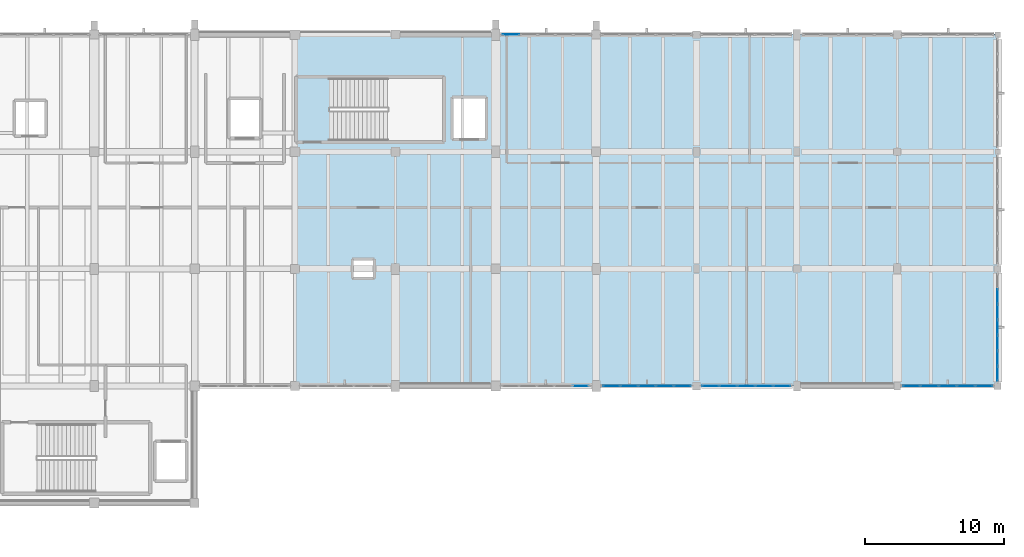
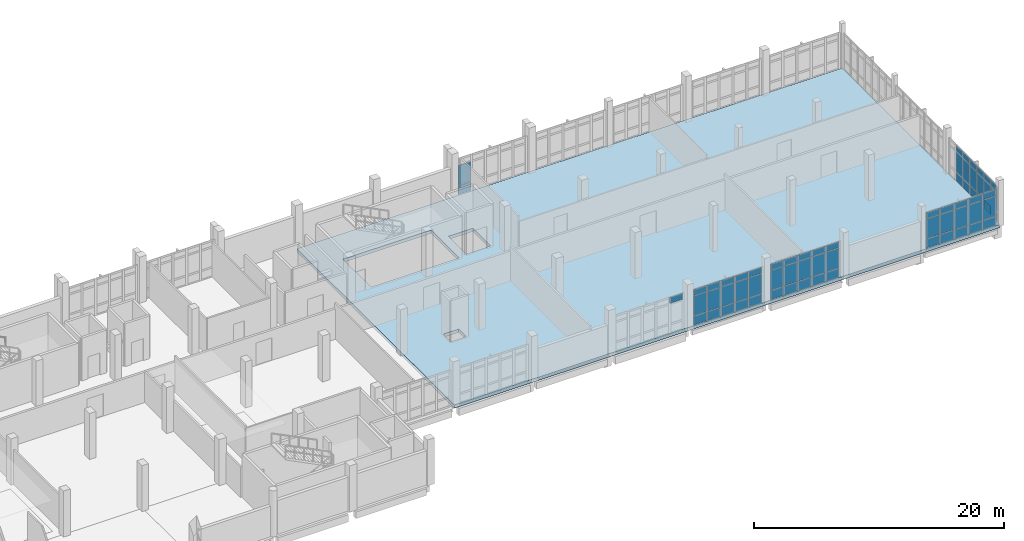
# One storey, part 44 of 57: 66 plates, 1 slab, 6 elements without a shape of their own.
"""IFC4 building model written with IfcOpenShell, lengths in metres."""

from ifc_helpers import new_model, si_unit, direction, frame, origin, origin_2d, place, context, subcontext, project, spatial, polyline, rectangle, outline, extrude, material, layer, layer_set, type_object, element, aggregate, save


model = new_model("IFC4")

# Units and contexts
model_context = context("Model", 3, precision=1e-05, world=origin(), true_north=direction((0.0, 1.0)))
body_context = subcontext(model_context, "Body", "Model", "MODEL_VIEW")
ifc_project = project(units=[si_unit("LENGTHUNIT", "METRE"), si_unit("AREAUNIT", "SQUARE_METRE"), si_unit("VOLUMEUNIT", "CUBIC_METRE"), si_unit("PLANEANGLEUNIT", "RADIAN"), si_unit("MASSUNIT", "GRAM", prefix="KILO")], contexts=[model_context])

# Site, building, storey
site_placement = place(None, origin())
site = spatial("IfcSite", under=ifc_project, at=site_placement, CompositionType="ELEMENT")
building_placement = place(site_placement, origin())
building = spatial("IfcBuilding", under=site, at=building_placement, Name="Kalluvel Institute of Natural Sciences", CompositionType="ELEMENT")
storey_placement = place(building_placement, frame((0.0, 0.0, 23.39990234375)))
storey = spatial("IfcBuildingStorey", under=building, at=storey_placement, Name="L05", CompositionType="ELEMENT", Elevation=23.39990234375)

# Curtain wall, plates
ifc_material_1 = material(Name="Aluminium AW-6063 T6", Category="aluminium")
curtain_wall_type = type_object("IfcCurtainWallType", Name="CW-WET-45", PredefinedType="USERDEFINED", material=ifc_material_1)
curtain_wall_1_placement = place(storey_placement, origin())
curtain_wall_1 = element("IfcCurtainWall", 1, at=curtain_wall_1_placement, inside=storey, type_object=curtain_wall_type, Name="L05 Gothic lancet curtain wall CWA-L05-X792-Y1280", ObjectType="UNITISED LANCET FACADE", PredefinedType="USERDEFINED")
ifc_material_2 = material(Name="Solar-Control Low-E Laminated Glass", Category="glass")
ifc_layer_1 = layer(ifc_material_2, 0.0400390625)
ifc_layer_set_1 = layer_set([ifc_layer_1], Name="Solar-Control Low-E Laminated Glass")
plate_type = type_object("IfcPlateType", Name="CWP-SPN-40", PredefinedType="CURTAIN_PANEL", material=ifc_layer_set_1)
plate_1_placement = place(storey_placement, frame((79.905029296875, 128.0, 0.0703125), z_axis=(0.0, 0.0, 1.0), x_axis=(1.0, 0.0, 0.0)))
plate_1 = element("IfcPlate", 2, at=plate_1_placement, type_object=plate_type, Name="CW-01 panel 1.1", PredefinedType="CURTAIN_PANEL", context=body_context, shape_type="SweptSolid", body=[
    extrude(rectangle(XDim=1.169921875, YDim=0.0400390625, at=origin_2d()), origin(), (0.0, 0.0, 1.0), 0.844970703125),
])
plate_2_placement = place(storey_placement, frame((79.905029296875, 128.0, 0.9853515625), z_axis=(0.0, 0.0, 1.0), x_axis=(1.0, 0.0, 0.0)))
plate_2 = element("IfcPlate", 3, at=plate_2_placement, type_object=plate_type, Name="CW-01 panel 1.2", PredefinedType="CURTAIN_PANEL", context=body_context, shape_type="SweptSolid", body=[
    extrude(rectangle(XDim=1.169921875, YDim=0.0400390625, at=origin_2d()), origin(), (0.0, 0.0, 1.0), 1.909912109375),
])
aggregate(curtain_wall_1, [plate_1, plate_2])

# Curtain wall, plate
curtain_wall_2_placement = place(storey_placement, origin())
curtain_wall_2 = element("IfcCurtainWall", 4, at=curtain_wall_2_placement, inside=storey, type_object=curtain_wall_type, Name="L05 Gothic lancet curtain wall CWA-L05-X792-Y1028", ObjectType="UNITISED LANCET FACADE", PredefinedType="USERDEFINED")
plate_3_placement = place(storey_placement, frame((84.8974609375, 102.800048828125, 2.965087890625), z_axis=(0.0, 0.0, 1.0), x_axis=(1.0, 0.0, 0.0)))
plate_3 = element("IfcPlate", 5, at=plate_3_placement, type_object=plate_type, Name="CW-01 panel 5.3", PredefinedType="CURTAIN_PANEL", context=body_context, shape_type="SweptSolid", body=[
    extrude(rectangle(XDim=1.1650390625, YDim=0.0400390625, at=origin_2d()), origin(), (0.0, 0.0, 1.0), 0.544921875),
])
aggregate(curtain_wall_2, [plate_3])

# Curtain wall, plates
curtain_wall_3_placement = place(storey_placement, origin())
curtain_wall_3 = element("IfcCurtainWall", 6, at=curtain_wall_3_placement, inside=storey, type_object=curtain_wall_type, Name="L05 Gothic lancet curtain wall CWA-L05-X864-Y1028", ObjectType="UNITISED LANCET FACADE", PredefinedType="USERDEFINED")
plate_4_placement = place(storey_placement, frame((87.107421875, 102.800048828125, 0.0703125), z_axis=(0.0, 0.0, 1.0), x_axis=(1.0, 0.0, 0.0)))
plate_4 = element("IfcPlate", 7, at=plate_4_placement, type_object=plate_type, Name="CW-01 panel 1.1", PredefinedType="CURTAIN_PANEL", context=body_context, shape_type="SweptSolid", body=[
    extrude(rectangle(XDim=1.175048828125, YDim=0.0400390625, at=origin_2d()), origin(), (0.0, 0.0, 1.0), 0.844970703125),
])
plate_5_placement = place(storey_placement, frame((87.107421875, 102.800048828125, 0.9853515625), z_axis=(0.0, 0.0, 1.0), x_axis=(1.0, 0.0, 0.0)))
plate_5 = element("IfcPlate", 8, at=plate_5_placement, type_object=plate_type, Name="CW-01 panel 1.2", PredefinedType="CURTAIN_PANEL", context=body_context, shape_type="SweptSolid", body=[
    extrude(rectangle(XDim=1.175048828125, YDim=0.0400390625, at=origin_2d()), origin(), (0.0, 0.0, 1.0), 1.909912109375),
])
plate_6_placement = place(storey_placement, frame((87.107421875, 102.800048828125, 2.965087890625), z_axis=(0.0, 0.0, 1.0), x_axis=(1.0, 0.0, 0.0)))
plate_6 = element("IfcPlate", 9, at=plate_6_placement, type_object=plate_type, Name="CW-01 panel 1.3", PredefinedType="CURTAIN_PANEL", context=body_context, shape_type="SweptSolid", body=[
    extrude(rectangle(XDim=1.175048828125, YDim=0.0400390625, at=origin_2d()), origin(), (0.0, 0.0, 1.0), 0.544921875),
])
plate_7_placement = place(storey_placement, frame((88.3701171875, 102.800048828125, 0.0703125), z_axis=(0.0, 0.0, 1.0), x_axis=(1.0, 0.0, 0.0)))
plate_7 = element("IfcPlate", 10, at=plate_7_placement, type_object=plate_type, Name="CW-01 panel 2.1", PredefinedType="CURTAIN_PANEL", context=body_context, shape_type="SweptSolid", body=[
    extrude(rectangle(XDim=1.2099609375, YDim=0.0400390625, at=origin_2d()), origin(), (0.0, 0.0, 1.0), 0.844970703125),
])
plate_8_placement = place(storey_placement, frame((88.3701171875, 102.800048828125, 0.9853515625), z_axis=(0.0, 0.0, 1.0), x_axis=(1.0, 0.0, 0.0)))
plate_8 = element("IfcPlate", 11, at=plate_8_placement, type_object=plate_type, Name="CW-01 panel 2.2", PredefinedType="CURTAIN_PANEL", context=body_context, shape_type="SweptSolid", body=[
    extrude(rectangle(XDim=1.2099609375, YDim=0.0400390625, at=origin_2d()), origin(), (0.0, 0.0, 1.0), 1.909912109375),
])
plate_9_placement = place(storey_placement, frame((88.3701171875, 102.800048828125, 2.965087890625), z_axis=(0.0, 0.0, 1.0), x_axis=(1.0, 0.0, 0.0)))
plate_9 = element("IfcPlate", 12, at=plate_9_placement, type_object=plate_type, Name="CW-01 panel 2.3", PredefinedType="CURTAIN_PANEL", context=body_context, shape_type="SweptSolid", body=[
    extrude(rectangle(XDim=1.2099609375, YDim=0.0400390625, at=origin_2d()), origin(), (0.0, 0.0, 1.0), 0.544921875),
])
plate_10_placement = place(storey_placement, frame((89.64990234375, 102.800048828125, 0.0703125), z_axis=(0.0, 0.0, 1.0), x_axis=(1.0, 0.0, 0.0)))
plate_10 = element("IfcPlate", 13, at=plate_10_placement, type_object=plate_type, Name="CW-01 panel 3.1", PredefinedType="CURTAIN_PANEL", context=body_context, shape_type="SweptSolid", body=[
    extrude(rectangle(XDim=1.2099609375, YDim=0.0400390625, at=origin_2d()), origin(), (0.0, 0.0, 1.0), 0.844970703125),
])
plate_11_placement = place(storey_placement, frame((89.64990234375, 102.800048828125, 0.9853515625), z_axis=(0.0, 0.0, 1.0), x_axis=(1.0, 0.0, 0.0)))
plate_11 = element("IfcPlate", 14, at=plate_11_placement, type_object=plate_type, Name="CW-01 panel 3.2", PredefinedType="CURTAIN_PANEL", context=body_context, shape_type="SweptSolid", body=[
    extrude(rectangle(XDim=1.2099609375, YDim=0.0400390625, at=origin_2d()), origin(), (0.0, 0.0, 1.0), 1.909912109375),
])
plate_12_placement = place(storey_placement, frame((89.64990234375, 102.800048828125, 2.965087890625), z_axis=(0.0, 0.0, 1.0), x_axis=(1.0, 0.0, 0.0)))
plate_12 = element("IfcPlate", 15, at=plate_12_placement, type_object=plate_type, Name="CW-01 panel 3.3", PredefinedType="CURTAIN_PANEL", context=body_context, shape_type="SweptSolid", body=[
    extrude(rectangle(XDim=1.2099609375, YDim=0.0400390625, at=origin_2d()), origin(), (0.0, 0.0, 1.0), 0.544921875),
])
plate_13_placement = place(storey_placement, frame((90.929931640625, 102.800048828125, 0.0703125), z_axis=(0.0, 0.0, 1.0), x_axis=(1.0, 0.0, 0.0)))
plate_13 = element("IfcPlate", 16, at=plate_13_placement, type_object=plate_type, Name="CW-01 panel 4.1", PredefinedType="CURTAIN_PANEL", context=body_context, shape_type="SweptSolid", body=[
    extrude(rectangle(XDim=1.2099609375, YDim=0.0400390625, at=origin_2d()), origin(), (0.0, 0.0, 1.0), 0.844970703125),
])
plate_14_placement = place(storey_placement, frame((90.929931640625, 102.800048828125, 0.9853515625), z_axis=(0.0, 0.0, 1.0), x_axis=(1.0, 0.0, 0.0)))
plate_14 = element("IfcPlate", 17, at=plate_14_placement, type_object=plate_type, Name="CW-01 panel 4.2", PredefinedType="CURTAIN_PANEL", context=body_context, shape_type="SweptSolid", body=[
    extrude(rectangle(XDim=1.2099609375, YDim=0.0400390625, at=origin_2d()), origin(), (0.0, 0.0, 1.0), 1.909912109375),
])
plate_15_placement = place(storey_placement, frame((90.929931640625, 102.800048828125, 2.965087890625), z_axis=(0.0, 0.0, 1.0), x_axis=(1.0, 0.0, 0.0)))
plate_15 = element("IfcPlate", 18, at=plate_15_placement, type_object=plate_type, Name="CW-01 panel 4.3", PredefinedType="CURTAIN_PANEL", context=body_context, shape_type="SweptSolid", body=[
    extrude(rectangle(XDim=1.2099609375, YDim=0.0400390625, at=origin_2d()), origin(), (0.0, 0.0, 1.0), 0.544921875),
])
plate_16_placement = place(storey_placement, frame((92.1923828125, 102.800048828125, 0.0703125), z_axis=(0.0, 0.0, 1.0), x_axis=(1.0, 0.0, 0.0)))
plate_16 = element("IfcPlate", 19, at=plate_16_placement, type_object=plate_type, Name="CW-01 panel 5.1", PredefinedType="CURTAIN_PANEL", context=body_context, shape_type="SweptSolid", body=[
    extrude(rectangle(XDim=1.175048828125, YDim=0.0400390625, at=origin_2d()), origin(), (0.0, 0.0, 1.0), 0.844970703125),
])
plate_17_placement = place(storey_placement, frame((92.1923828125, 102.800048828125, 0.9853515625), z_axis=(0.0, 0.0, 1.0), x_axis=(1.0, 0.0, 0.0)))
plate_17 = element("IfcPlate", 20, at=plate_17_placement, type_object=plate_type, Name="CW-01 panel 5.2", PredefinedType="CURTAIN_PANEL", context=body_context, shape_type="SweptSolid", body=[
    extrude(rectangle(XDim=1.175048828125, YDim=0.0400390625, at=origin_2d()), origin(), (0.0, 0.0, 1.0), 1.909912109375),
])
plate_18_placement = place(storey_placement, frame((92.1923828125, 102.800048828125, 2.965087890625), z_axis=(0.0, 0.0, 1.0), x_axis=(1.0, 0.0, 0.0)))
plate_18 = element("IfcPlate", 21, at=plate_18_placement, type_object=plate_type, Name="CW-01 panel 5.3", PredefinedType="CURTAIN_PANEL", context=body_context, shape_type="SweptSolid", body=[
    extrude(rectangle(XDim=1.175048828125, YDim=0.0400390625, at=origin_2d()), origin(), (0.0, 0.0, 1.0), 0.544921875),
])
aggregate(curtain_wall_3, [plate_4, plate_5, plate_6, plate_7, plate_8, plate_9, plate_10, plate_11, plate_12, plate_13, plate_14, plate_15, plate_16, plate_17, plate_18])

curtain_wall_4_placement = place(storey_placement, origin())
curtain_wall_4 = element("IfcCurtainWall", 22, at=curtain_wall_4_placement, inside=storey, type_object=curtain_wall_type, Name="L05 Gothic lancet curtain wall CWA-L05-X936-Y1028", ObjectType="UNITISED LANCET FACADE", PredefinedType="USERDEFINED")
plate_19_placement = place(storey_placement, frame((94.21240234375, 102.800048828125, 0.0703125), z_axis=(0.0, 0.0, 1.0), x_axis=(1.0, 0.0, 0.0)))
plate_19 = element("IfcPlate", 23, at=plate_19_placement, type_object=plate_type, Name="CW-01 panel 1.1", PredefinedType="CURTAIN_PANEL", context=body_context, shape_type="SweptSolid", body=[
    extrude(rectangle(XDim=1.18505859375, YDim=0.0400390625, at=origin_2d()), origin(), (0.0, 0.0, 1.0), 0.844970703125),
])
plate_20_placement = place(storey_placement, frame((94.21240234375, 102.800048828125, 0.9853515625), z_axis=(0.0, 0.0, 1.0), x_axis=(1.0, 0.0, 0.0)))
plate_20 = element("IfcPlate", 24, at=plate_20_placement, type_object=plate_type, Name="CW-01 panel 1.2", PredefinedType="CURTAIN_PANEL", context=body_context, shape_type="SweptSolid", body=[
    extrude(rectangle(XDim=1.18505859375, YDim=0.0400390625, at=origin_2d()), origin(), (0.0, 0.0, 1.0), 1.909912109375),
])
plate_21_placement = place(storey_placement, frame((94.21240234375, 102.800048828125, 2.965087890625), z_axis=(0.0, 0.0, 1.0), x_axis=(1.0, 0.0, 0.0)))
plate_21 = element("IfcPlate", 25, at=plate_21_placement, type_object=plate_type, Name="CW-01 panel 1.3", PredefinedType="CURTAIN_PANEL", context=body_context, shape_type="SweptSolid", body=[
    extrude(rectangle(XDim=1.18505859375, YDim=0.0400390625, at=origin_2d()), origin(), (0.0, 0.0, 1.0), 0.544921875),
])
plate_22_placement = place(storey_placement, frame((95.485107421875, 102.800048828125, 0.0703125), z_axis=(0.0, 0.0, 1.0), x_axis=(1.0, 0.0, 0.0)))
plate_22 = element("IfcPlate", 26, at=plate_22_placement, type_object=plate_type, Name="CW-01 panel 2.1", PredefinedType="CURTAIN_PANEL", context=body_context, shape_type="SweptSolid", body=[
    extrude(rectangle(XDim=1.219970703125, YDim=0.0400390625, at=origin_2d()), origin(), (0.0, 0.0, 1.0), 0.844970703125),
])
plate_23_placement = place(storey_placement, frame((95.485107421875, 102.800048828125, 0.9853515625), z_axis=(0.0, 0.0, 1.0), x_axis=(1.0, 0.0, 0.0)))
plate_23 = element("IfcPlate", 27, at=plate_23_placement, type_object=plate_type, Name="CW-01 panel 2.2", PredefinedType="CURTAIN_PANEL", context=body_context, shape_type="SweptSolid", body=[
    extrude(rectangle(XDim=1.219970703125, YDim=0.0400390625, at=origin_2d()), origin(), (0.0, 0.0, 1.0), 1.909912109375),
])
plate_24_placement = place(storey_placement, frame((95.485107421875, 102.800048828125, 2.965087890625), z_axis=(0.0, 0.0, 1.0), x_axis=(1.0, 0.0, 0.0)))
plate_24 = element("IfcPlate", 28, at=plate_24_placement, type_object=plate_type, Name="CW-01 panel 2.3", PredefinedType="CURTAIN_PANEL", context=body_context, shape_type="SweptSolid", body=[
    extrude(rectangle(XDim=1.219970703125, YDim=0.0400390625, at=origin_2d()), origin(), (0.0, 0.0, 1.0), 0.544921875),
])
plate_25_placement = place(storey_placement, frame((96.77490234375, 102.800048828125, 0.0703125), z_axis=(0.0, 0.0, 1.0), x_axis=(1.0, 0.0, 0.0)))
plate_25 = element("IfcPlate", 29, at=plate_25_placement, type_object=plate_type, Name="CW-01 panel 3.1", PredefinedType="CURTAIN_PANEL", context=body_context, shape_type="SweptSolid", body=[
    extrude(rectangle(XDim=1.219970703125, YDim=0.0400390625, at=origin_2d()), origin(), (0.0, 0.0, 1.0), 0.844970703125),
])
plate_26_placement = place(storey_placement, frame((96.77490234375, 102.800048828125, 0.9853515625), z_axis=(0.0, 0.0, 1.0), x_axis=(1.0, 0.0, 0.0)))
plate_26 = element("IfcPlate", 30, at=plate_26_placement, type_object=plate_type, Name="CW-01 panel 3.2", PredefinedType="CURTAIN_PANEL", context=body_context, shape_type="SweptSolid", body=[
    extrude(rectangle(XDim=1.219970703125, YDim=0.0400390625, at=origin_2d()), origin(), (0.0, 0.0, 1.0), 1.909912109375),
])
plate_27_placement = place(storey_placement, frame((96.77490234375, 102.800048828125, 2.965087890625), z_axis=(0.0, 0.0, 1.0), x_axis=(1.0, 0.0, 0.0)))
plate_27 = element("IfcPlate", 31, at=plate_27_placement, type_object=plate_type, Name="CW-01 panel 3.3", PredefinedType="CURTAIN_PANEL", context=body_context, shape_type="SweptSolid", body=[
    extrude(rectangle(XDim=1.219970703125, YDim=0.0400390625, at=origin_2d()), origin(), (0.0, 0.0, 1.0), 0.544921875),
])
plate_28_placement = place(storey_placement, frame((98.06494140625, 102.800048828125, 0.0703125), z_axis=(0.0, 0.0, 1.0), x_axis=(1.0, 0.0, 0.0)))
plate_28 = element("IfcPlate", 32, at=plate_28_placement, type_object=plate_type, Name="CW-01 panel 4.1", PredefinedType="CURTAIN_PANEL", context=body_context, shape_type="SweptSolid", body=[
    extrude(rectangle(XDim=1.219970703125, YDim=0.0400390625, at=origin_2d()), origin(), (0.0, 0.0, 1.0), 0.844970703125),
])
plate_29_placement = place(storey_placement, frame((98.06494140625, 102.800048828125, 0.9853515625), z_axis=(0.0, 0.0, 1.0), x_axis=(1.0, 0.0, 0.0)))
plate_29 = element("IfcPlate", 33, at=plate_29_placement, type_object=plate_type, Name="CW-01 panel 4.2", PredefinedType="CURTAIN_PANEL", context=body_context, shape_type="SweptSolid", body=[
    extrude(rectangle(XDim=1.219970703125, YDim=0.0400390625, at=origin_2d()), origin(), (0.0, 0.0, 1.0), 1.909912109375),
])
plate_30_placement = place(storey_placement, frame((98.06494140625, 102.800048828125, 2.965087890625), z_axis=(0.0, 0.0, 1.0), x_axis=(1.0, 0.0, 0.0)))
plate_30 = element("IfcPlate", 34, at=plate_30_placement, type_object=plate_type, Name="CW-01 panel 4.3", PredefinedType="CURTAIN_PANEL", context=body_context, shape_type="SweptSolid", body=[
    extrude(rectangle(XDim=1.219970703125, YDim=0.0400390625, at=origin_2d()), origin(), (0.0, 0.0, 1.0), 0.544921875),
])
plate_31_placement = place(storey_placement, frame((99.33740234375, 102.800048828125, 0.0703125), z_axis=(0.0, 0.0, 1.0), x_axis=(1.0, 0.0, 0.0)))
plate_31 = element("IfcPlate", 35, at=plate_31_placement, type_object=plate_type, Name="CW-01 panel 5.1", PredefinedType="CURTAIN_PANEL", context=body_context, shape_type="SweptSolid", body=[
    extrude(rectangle(XDim=1.18505859375, YDim=0.0400390625, at=origin_2d()), origin(), (0.0, 0.0, 1.0), 0.844970703125),
])
plate_32_placement = place(storey_placement, frame((99.33740234375, 102.800048828125, 0.9853515625), z_axis=(0.0, 0.0, 1.0), x_axis=(1.0, 0.0, 0.0)))
plate_32 = element("IfcPlate", 36, at=plate_32_placement, type_object=plate_type, Name="CW-01 panel 5.2", PredefinedType="CURTAIN_PANEL", context=body_context, shape_type="SweptSolid", body=[
    extrude(rectangle(XDim=1.18505859375, YDim=0.0400390625, at=origin_2d()), origin(), (0.0, 0.0, 1.0), 1.909912109375),
])
plate_33_placement = place(storey_placement, frame((99.33740234375, 102.800048828125, 2.965087890625), z_axis=(0.0, 0.0, 1.0), x_axis=(1.0, 0.0, 0.0)))
plate_33 = element("IfcPlate", 37, at=plate_33_placement, type_object=plate_type, Name="CW-01 panel 5.3", PredefinedType="CURTAIN_PANEL", context=body_context, shape_type="SweptSolid", body=[
    extrude(rectangle(XDim=1.18505859375, YDim=0.0400390625, at=origin_2d()), origin(), (0.0, 0.0, 1.0), 0.544921875),
])
aggregate(curtain_wall_4, [plate_19, plate_20, plate_21, plate_22, plate_23, plate_24, plate_25, plate_26, plate_27, plate_28, plate_29, plate_30, plate_31, plate_32, plate_33])

curtain_wall_5_placement = place(storey_placement, origin())
curtain_wall_5 = element("IfcCurtainWall", 38, at=curtain_wall_5_placement, inside=storey, type_object=curtain_wall_type, Name="L05 Gothic lancet curtain wall CWA-L05-X1080-Y1028", ObjectType="UNITISED LANCET FACADE", PredefinedType="USERDEFINED")
plate_34_placement = place(storey_placement, frame((108.62255859375, 102.800048828125, 0.0703125), z_axis=(0.0, 0.0, 1.0), x_axis=(1.0, 0.0, 0.0)))
plate_34 = element("IfcPlate", 39, at=plate_34_placement, type_object=plate_type, Name="CW-01 panel 1.1", PredefinedType="CURTAIN_PANEL", context=body_context, shape_type="SweptSolid", body=[
    extrude(rectangle(XDim=1.205078125, YDim=0.0400390625, at=origin_2d()), origin(), (0.0, 0.0, 1.0), 0.844970703125),
])
plate_35_placement = place(storey_placement, frame((108.62255859375, 102.800048828125, 0.9853515625), z_axis=(0.0, 0.0, 1.0), x_axis=(1.0, 0.0, 0.0)))
plate_35 = element("IfcPlate", 40, at=plate_35_placement, type_object=plate_type, Name="CW-01 panel 1.2", PredefinedType="CURTAIN_PANEL", context=body_context, shape_type="SweptSolid", body=[
    extrude(rectangle(XDim=1.205078125, YDim=0.0400390625, at=origin_2d()), origin(), (0.0, 0.0, 1.0), 1.909912109375),
])
plate_36_placement = place(storey_placement, frame((108.62255859375, 102.800048828125, 2.965087890625), z_axis=(0.0, 0.0, 1.0), x_axis=(1.0, 0.0, 0.0)))
plate_36 = element("IfcPlate", 41, at=plate_36_placement, type_object=plate_type, Name="CW-01 panel 1.3", PredefinedType="CURTAIN_PANEL", context=body_context, shape_type="SweptSolid", body=[
    extrude(rectangle(XDim=1.205078125, YDim=0.0400390625, at=origin_2d()), origin(), (0.0, 0.0, 1.0), 0.544921875),
])
plate_37_placement = place(storey_placement, frame((109.9150390625, 102.800048828125, 0.0703125), z_axis=(0.0, 0.0, 1.0), x_axis=(1.0, 0.0, 0.0)))
plate_37 = element("IfcPlate", 42, at=plate_37_placement, type_object=plate_type, Name="CW-01 panel 2.1", PredefinedType="CURTAIN_PANEL", context=body_context, shape_type="SweptSolid", body=[
    extrude(rectangle(XDim=1.239990234375, YDim=0.0400390625, at=origin_2d()), origin(), (0.0, 0.0, 1.0), 0.844970703125),
])
plate_38_placement = place(storey_placement, frame((109.9150390625, 102.800048828125, 0.9853515625), z_axis=(0.0, 0.0, 1.0), x_axis=(1.0, 0.0, 0.0)))
plate_38 = element("IfcPlate", 43, at=plate_38_placement, type_object=plate_type, Name="CW-01 panel 2.2", PredefinedType="CURTAIN_PANEL", context=body_context, shape_type="SweptSolid", body=[
    extrude(rectangle(XDim=1.239990234375, YDim=0.0400390625, at=origin_2d()), origin(), (0.0, 0.0, 1.0), 1.909912109375),
])
plate_39_placement = place(storey_placement, frame((109.9150390625, 102.800048828125, 2.965087890625), z_axis=(0.0, 0.0, 1.0), x_axis=(1.0, 0.0, 0.0)))
plate_39 = element("IfcPlate", 44, at=plate_39_placement, type_object=plate_type, Name="CW-01 panel 2.3", PredefinedType="CURTAIN_PANEL", context=body_context, shape_type="SweptSolid", body=[
    extrude(rectangle(XDim=1.239990234375, YDim=0.0400390625, at=origin_2d()), origin(), (0.0, 0.0, 1.0), 0.544921875),
])
plate_40_placement = place(storey_placement, frame((111.22509765625, 102.800048828125, 0.0703125), z_axis=(0.0, 0.0, 1.0), x_axis=(1.0, 0.0, 0.0)))
plate_40 = element("IfcPlate", 45, at=plate_40_placement, type_object=plate_type, Name="CW-01 panel 3.1", PredefinedType="CURTAIN_PANEL", context=body_context, shape_type="SweptSolid", body=[
    extrude(rectangle(XDim=1.239990234375, YDim=0.0400390625, at=origin_2d()), origin(), (0.0, 0.0, 1.0), 0.844970703125),
])
plate_41_placement = place(storey_placement, frame((111.22509765625, 102.800048828125, 0.9853515625), z_axis=(0.0, 0.0, 1.0), x_axis=(1.0, 0.0, 0.0)))
plate_41 = element("IfcPlate", 46, at=plate_41_placement, type_object=plate_type, Name="CW-01 panel 3.2", PredefinedType="CURTAIN_PANEL", context=body_context, shape_type="SweptSolid", body=[
    extrude(rectangle(XDim=1.239990234375, YDim=0.0400390625, at=origin_2d()), origin(), (0.0, 0.0, 1.0), 1.909912109375),
])
plate_42_placement = place(storey_placement, frame((111.22509765625, 102.800048828125, 2.965087890625), z_axis=(0.0, 0.0, 1.0), x_axis=(1.0, 0.0, 0.0)))
plate_42 = element("IfcPlate", 47, at=plate_42_placement, type_object=plate_type, Name="CW-01 panel 3.3", PredefinedType="CURTAIN_PANEL", context=body_context, shape_type="SweptSolid", body=[
    extrude(rectangle(XDim=1.239990234375, YDim=0.0400390625, at=origin_2d()), origin(), (0.0, 0.0, 1.0), 0.544921875),
])
plate_43_placement = place(storey_placement, frame((112.534912109375, 102.800048828125, 0.0703125), z_axis=(0.0, 0.0, 1.0), x_axis=(1.0, 0.0, 0.0)))
plate_43 = element("IfcPlate", 48, at=plate_43_placement, type_object=plate_type, Name="CW-01 panel 4.1", PredefinedType="CURTAIN_PANEL", context=body_context, shape_type="SweptSolid", body=[
    extrude(rectangle(XDim=1.239990234375, YDim=0.0400390625, at=origin_2d()), origin(), (0.0, 0.0, 1.0), 0.844970703125),
])
plate_44_placement = place(storey_placement, frame((112.534912109375, 102.800048828125, 0.9853515625), z_axis=(0.0, 0.0, 1.0), x_axis=(1.0, 0.0, 0.0)))
plate_44 = element("IfcPlate", 49, at=plate_44_placement, type_object=plate_type, Name="CW-01 panel 4.2", PredefinedType="CURTAIN_PANEL", context=body_context, shape_type="SweptSolid", body=[
    extrude(rectangle(XDim=1.239990234375, YDim=0.0400390625, at=origin_2d()), origin(), (0.0, 0.0, 1.0), 1.909912109375),
])
plate_45_placement = place(storey_placement, frame((112.534912109375, 102.800048828125, 2.965087890625), z_axis=(0.0, 0.0, 1.0), x_axis=(1.0, 0.0, 0.0)))
plate_45 = element("IfcPlate", 50, at=plate_45_placement, type_object=plate_type, Name="CW-01 panel 4.3", PredefinedType="CURTAIN_PANEL", context=body_context, shape_type="SweptSolid", body=[
    extrude(rectangle(XDim=1.239990234375, YDim=0.0400390625, at=origin_2d()), origin(), (0.0, 0.0, 1.0), 0.544921875),
])
plate_46_placement = place(storey_placement, frame((113.827392578125, 102.800048828125, 0.0703125), z_axis=(0.0, 0.0, 1.0), x_axis=(1.0, 0.0, 0.0)))
plate_46 = element("IfcPlate", 51, at=plate_46_placement, type_object=plate_type, Name="CW-01 panel 5.1", PredefinedType="CURTAIN_PANEL", context=body_context, shape_type="SweptSolid", body=[
    extrude(rectangle(XDim=1.205078125, YDim=0.0400390625, at=origin_2d()), origin(), (0.0, 0.0, 1.0), 0.844970703125),
])
plate_47_placement = place(storey_placement, frame((113.827392578125, 102.800048828125, 0.9853515625), z_axis=(0.0, 0.0, 1.0), x_axis=(1.0, 0.0, 0.0)))
plate_47 = element("IfcPlate", 52, at=plate_47_placement, type_object=plate_type, Name="CW-01 panel 5.2", PredefinedType="CURTAIN_PANEL", context=body_context, shape_type="SweptSolid", body=[
    extrude(rectangle(XDim=1.205078125, YDim=0.0400390625, at=origin_2d()), origin(), (0.0, 0.0, 1.0), 1.909912109375),
])
plate_48_placement = place(storey_placement, frame((113.827392578125, 102.800048828125, 2.965087890625), z_axis=(0.0, 0.0, 1.0), x_axis=(1.0, 0.0, 0.0)))
plate_48 = element("IfcPlate", 53, at=plate_48_placement, type_object=plate_type, Name="CW-01 panel 5.3", PredefinedType="CURTAIN_PANEL", context=body_context, shape_type="SweptSolid", body=[
    extrude(rectangle(XDim=1.205078125, YDim=0.0400390625, at=origin_2d()), origin(), (0.0, 0.0, 1.0), 0.544921875),
])
aggregate(curtain_wall_5, [plate_34, plate_35, plate_36, plate_37, plate_38, plate_39, plate_40, plate_41, plate_42, plate_43, plate_44, plate_45, plate_46, plate_47, plate_48])

curtain_wall_6_placement = place(storey_placement, origin())
curtain_wall_6 = element("IfcCurtainWall", 54, at=curtain_wall_6_placement, inside=storey, type_object=curtain_wall_type, Name="L05 Gothic lancet curtain wall CWA-L05-X1148-Y1031", ObjectType="UNITISED LANCET FACADE", PredefinedType="USERDEFINED")
plate_49_placement = place(storey_placement, frame((114.800048828125, 103.674560546875, 0.0703125), z_axis=(0.0, 0.0, 1.0), x_axis=(0.0, 1.0, 0.0)))
plate_49 = element("IfcPlate", 55, at=plate_49_placement, type_object=plate_type, Name="CW-01 panel 1.1", PredefinedType="CURTAIN_PANEL", context=body_context, shape_type="SweptSolid", body=[
    extrude(rectangle(XDim=1.00927734375, YDim=0.0400390625, at=origin_2d()), origin(), (0.0, 0.0, 1.0), 0.844970703125),
])
plate_50_placement = place(storey_placement, frame((114.800048828125, 103.674560546875, 0.9853515625), z_axis=(0.0, 0.0, 1.0), x_axis=(0.0, 1.0, 0.0)))
plate_50 = element("IfcPlate", 56, at=plate_50_placement, type_object=plate_type, Name="CW-01 panel 1.2", PredefinedType="CURTAIN_PANEL", context=body_context, shape_type="SweptSolid", body=[
    extrude(rectangle(XDim=1.00927734375, YDim=0.0400390625, at=origin_2d()), origin(), (0.0, 0.0, 1.0), 1.909912109375),
])
plate_51_placement = place(storey_placement, frame((114.800048828125, 103.674560546875, 2.965087890625), z_axis=(0.0, 0.0, 1.0), x_axis=(0.0, 1.0, 0.0)))
plate_51 = element("IfcPlate", 57, at=plate_51_placement, type_object=plate_type, Name="CW-01 panel 1.3", PredefinedType="CURTAIN_PANEL", context=body_context, shape_type="SweptSolid", body=[
    extrude(rectangle(XDim=1.00927734375, YDim=0.0400390625, at=origin_2d()), origin(), (0.0, 0.0, 1.0), 0.544921875),
])
plate_52_placement = place(storey_placement, frame((114.800048828125, 104.771484375, 0.0703125), z_axis=(0.0, 0.0, 1.0), x_axis=(0.0, 1.0, 0.0)))
plate_52 = element("IfcPlate", 58, at=plate_52_placement, type_object=plate_type, Name="CW-01 panel 2.1", PredefinedType="CURTAIN_PANEL", context=body_context, shape_type="SweptSolid", body=[
    extrude(rectangle(XDim=1.044189453125, YDim=0.0400390625, at=origin_2d()), origin(), (0.0, 0.0, 1.0), 0.844970703125),
])
plate_53_placement = place(storey_placement, frame((114.800048828125, 104.771484375, 0.9853515625), z_axis=(0.0, 0.0, 1.0), x_axis=(0.0, 1.0, 0.0)))
plate_53 = element("IfcPlate", 59, at=plate_53_placement, type_object=plate_type, Name="CW-01 panel 2.2", PredefinedType="CURTAIN_PANEL", context=body_context, shape_type="SweptSolid", body=[
    extrude(rectangle(XDim=1.044189453125, YDim=0.0400390625, at=origin_2d()), origin(), (0.0, 0.0, 1.0), 1.909912109375),
])
plate_54_placement = place(storey_placement, frame((114.800048828125, 104.771484375, 2.965087890625), z_axis=(0.0, 0.0, 1.0), x_axis=(0.0, 1.0, 0.0)))
plate_54 = element("IfcPlate", 60, at=plate_54_placement, type_object=plate_type, Name="CW-01 panel 2.3", PredefinedType="CURTAIN_PANEL", context=body_context, shape_type="SweptSolid", body=[
    extrude(rectangle(XDim=1.044189453125, YDim=0.0400390625, at=origin_2d()), origin(), (0.0, 0.0, 1.0), 0.544921875),
])
plate_55_placement = place(storey_placement, frame((114.800048828125, 105.8857421875, 0.0703125), z_axis=(0.0, 0.0, 1.0), x_axis=(0.0, 1.0, 0.0)))
plate_55 = element("IfcPlate", 61, at=plate_55_placement, type_object=plate_type, Name="CW-01 panel 3.1", PredefinedType="CURTAIN_PANEL", context=body_context, shape_type="SweptSolid", body=[
    extrude(rectangle(XDim=1.044189453125, YDim=0.0400390625, at=origin_2d()), origin(), (0.0, 0.0, 1.0), 0.844970703125),
])
plate_56_placement = place(storey_placement, frame((114.800048828125, 105.8857421875, 0.9853515625), z_axis=(0.0, 0.0, 1.0), x_axis=(0.0, 1.0, 0.0)))
plate_56 = element("IfcPlate", 62, at=plate_56_placement, type_object=plate_type, Name="CW-01 panel 3.2", PredefinedType="CURTAIN_PANEL", context=body_context, shape_type="SweptSolid", body=[
    extrude(rectangle(XDim=1.044189453125, YDim=0.0400390625, at=origin_2d()), origin(), (0.0, 0.0, 1.0), 1.909912109375),
])
plate_57_placement = place(storey_placement, frame((114.800048828125, 105.8857421875, 2.965087890625), z_axis=(0.0, 0.0, 1.0), x_axis=(0.0, 1.0, 0.0)))
plate_57 = element("IfcPlate", 63, at=plate_57_placement, type_object=plate_type, Name="CW-01 panel 3.3", PredefinedType="CURTAIN_PANEL", context=body_context, shape_type="SweptSolid", body=[
    extrude(rectangle(XDim=1.044189453125, YDim=0.0400390625, at=origin_2d()), origin(), (0.0, 0.0, 1.0), 0.544921875),
])
plate_58_placement = place(storey_placement, frame((114.800048828125, 107.0, 0.0703125), z_axis=(0.0, 0.0, 1.0), x_axis=(0.0, 1.0, 0.0)))
plate_58 = element("IfcPlate", 64, at=plate_58_placement, type_object=plate_type, Name="CW-01 panel 4.1", PredefinedType="CURTAIN_PANEL", context=body_context, shape_type="SweptSolid", body=[
    extrude(rectangle(XDim=1.044189453125, YDim=0.0400390625, at=origin_2d()), origin(), (0.0, 0.0, 1.0), 0.844970703125),
])
plate_59_placement = place(storey_placement, frame((114.800048828125, 107.0, 0.9853515625), z_axis=(0.0, 0.0, 1.0), x_axis=(0.0, 1.0, 0.0)))
plate_59 = element("IfcPlate", 65, at=plate_59_placement, type_object=plate_type, Name="CW-01 panel 4.2", PredefinedType="CURTAIN_PANEL", context=body_context, shape_type="SweptSolid", body=[
    extrude(rectangle(XDim=1.044189453125, YDim=0.0400390625, at=origin_2d()), origin(), (0.0, 0.0, 1.0), 1.909912109375),
])
plate_60_placement = place(storey_placement, frame((114.800048828125, 107.0, 2.965087890625), z_axis=(0.0, 0.0, 1.0), x_axis=(0.0, 1.0, 0.0)))
plate_60 = element("IfcPlate", 66, at=plate_60_placement, type_object=plate_type, Name="CW-01 panel 4.3", PredefinedType="CURTAIN_PANEL", context=body_context, shape_type="SweptSolid", body=[
    extrude(rectangle(XDim=1.044189453125, YDim=0.0400390625, at=origin_2d()), origin(), (0.0, 0.0, 1.0), 0.544921875),
])
plate_61_placement = place(storey_placement, frame((114.800048828125, 108.1142578125, 0.0703125), z_axis=(0.0, 0.0, 1.0), x_axis=(0.0, 1.0, 0.0)))
plate_61 = element("IfcPlate", 67, at=plate_61_placement, type_object=plate_type, Name="CW-01 panel 5.1", PredefinedType="CURTAIN_PANEL", context=body_context, shape_type="SweptSolid", body=[
    extrude(rectangle(XDim=1.044189453125, YDim=0.0400390625, at=origin_2d()), origin(), (0.0, 0.0, 1.0), 0.844970703125),
])
plate_62_placement = place(storey_placement, frame((114.800048828125, 108.1142578125, 0.9853515625), z_axis=(0.0, 0.0, 1.0), x_axis=(0.0, 1.0, 0.0)))
plate_62 = element("IfcPlate", 68, at=plate_62_placement, type_object=plate_type, Name="CW-01 panel 5.2", PredefinedType="CURTAIN_PANEL", context=body_context, shape_type="SweptSolid", body=[
    extrude(rectangle(XDim=1.044189453125, YDim=0.0400390625, at=origin_2d()), origin(), (0.0, 0.0, 1.0), 1.909912109375),
])
plate_63_placement = place(storey_placement, frame((114.800048828125, 108.1142578125, 2.965087890625), z_axis=(0.0, 0.0, 1.0), x_axis=(0.0, 1.0, 0.0)))
plate_63 = element("IfcPlate", 69, at=plate_63_placement, type_object=plate_type, Name="CW-01 panel 5.3", PredefinedType="CURTAIN_PANEL", context=body_context, shape_type="SweptSolid", body=[
    extrude(rectangle(XDim=1.044189453125, YDim=0.0400390625, at=origin_2d()), origin(), (0.0, 0.0, 1.0), 0.544921875),
])
plate_64_placement = place(storey_placement, frame((114.800048828125, 109.228515625, 0.0703125), z_axis=(0.0, 0.0, 1.0), x_axis=(0.0, 1.0, 0.0)))
plate_64 = element("IfcPlate", 70, at=plate_64_placement, type_object=plate_type, Name="CW-01 panel 6.1", PredefinedType="CURTAIN_PANEL", context=body_context, shape_type="SweptSolid", body=[
    extrude(rectangle(XDim=1.044189453125, YDim=0.0400390625, at=origin_2d()), origin(), (0.0, 0.0, 1.0), 0.844970703125),
])
plate_65_placement = place(storey_placement, frame((114.800048828125, 109.228515625, 0.9853515625), z_axis=(0.0, 0.0, 1.0), x_axis=(0.0, 1.0, 0.0)))
plate_65 = element("IfcPlate", 71, at=plate_65_placement, type_object=plate_type, Name="CW-01 panel 6.2", PredefinedType="CURTAIN_PANEL", context=body_context, shape_type="SweptSolid", body=[
    extrude(rectangle(XDim=1.044189453125, YDim=0.0400390625, at=origin_2d()), origin(), (0.0, 0.0, 1.0), 1.909912109375),
])
plate_66_placement = place(storey_placement, frame((114.800048828125, 109.228515625, 2.965087890625), z_axis=(0.0, 0.0, 1.0), x_axis=(0.0, 1.0, 0.0)))
plate_66 = element("IfcPlate", 72, at=plate_66_placement, type_object=plate_type, Name="CW-01 panel 6.3", PredefinedType="CURTAIN_PANEL", context=body_context, shape_type="SweptSolid", body=[
    extrude(rectangle(XDim=1.044189453125, YDim=0.0400390625, at=origin_2d()), origin(), (0.0, 0.0, 1.0), 0.544921875),
])
aggregate(curtain_wall_6, [plate_49, plate_50, plate_51, plate_52, plate_53, plate_54, plate_55, plate_56, plate_57, plate_58, plate_59, plate_60, plate_61, plate_62, plate_63, plate_64, plate_65, plate_66])

# Slab
ifc_material_3 = material(Name="Concrete M40", Category="concrete")
ifc_layer_2 = layer(ifc_material_3, 0.320068359375)
ifc_layer_set_2 = layer_set([ifc_layer_2], Name="Concrete M40")
slab_type = type_object("IfcSlabType", Name="SLB-WET-320", PredefinedType="FLOOR", material=ifc_layer_set_2)
slab_placement = place(storey_placement, frame((0.0, 0.0, -0.31982421875)))
element("IfcSlab", 73, at=slab_placement, inside=storey, type_object=slab_type, Name="L05 Wet Laboratory Waffle Floor Slab E", PredefinedType="FLOOR", context=body_context, shape_type="SweptSolid", body=[
    extrude(outline(polyline([(64.39990234375, 102.800048828125), (114.800048828125, 102.800048828125), (114.800048828125, 128.0), (64.39990234375, 128.0), (64.39990234375, 102.800048828125)]), holes=[polyline([(78.02001953125, 123.419921875), (78.02001953125, 120.580078125), (75.780029296875, 120.580078125), (75.780029296875, 123.419921875), (78.02001953125, 123.419921875)]), polyline([(75.0, 124.8701171875), (75.0, 120.39990234375), (66.867919921875, 120.39990234375), (66.867919921875, 124.8701171875), (75.0, 124.8701171875)]), polyline([(68.60009765625, 111.800048828125), (70.0, 111.800048828125), (70.0, 110.60009765625), (68.60009765625, 110.60009765625), (68.60009765625, 111.800048828125)])]), origin(), (0.0, 0.0, 1.0), 0.31982421875),
])

save(model, "model.ifc")
